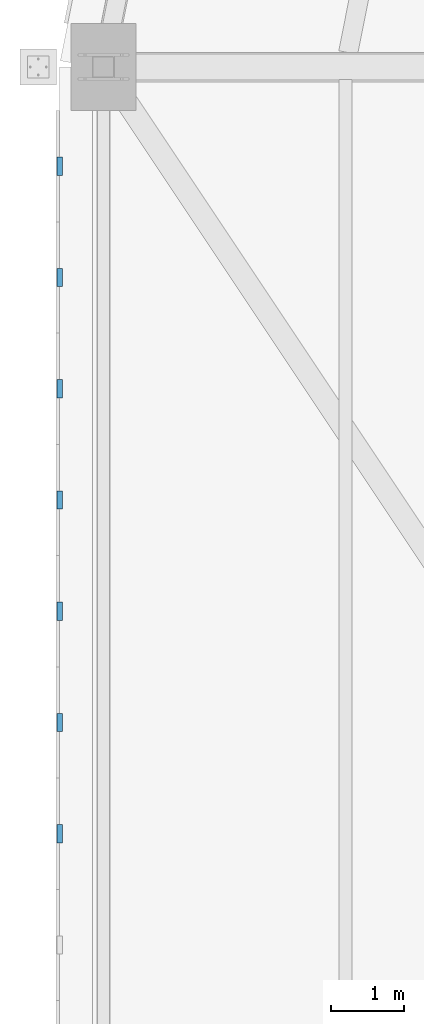
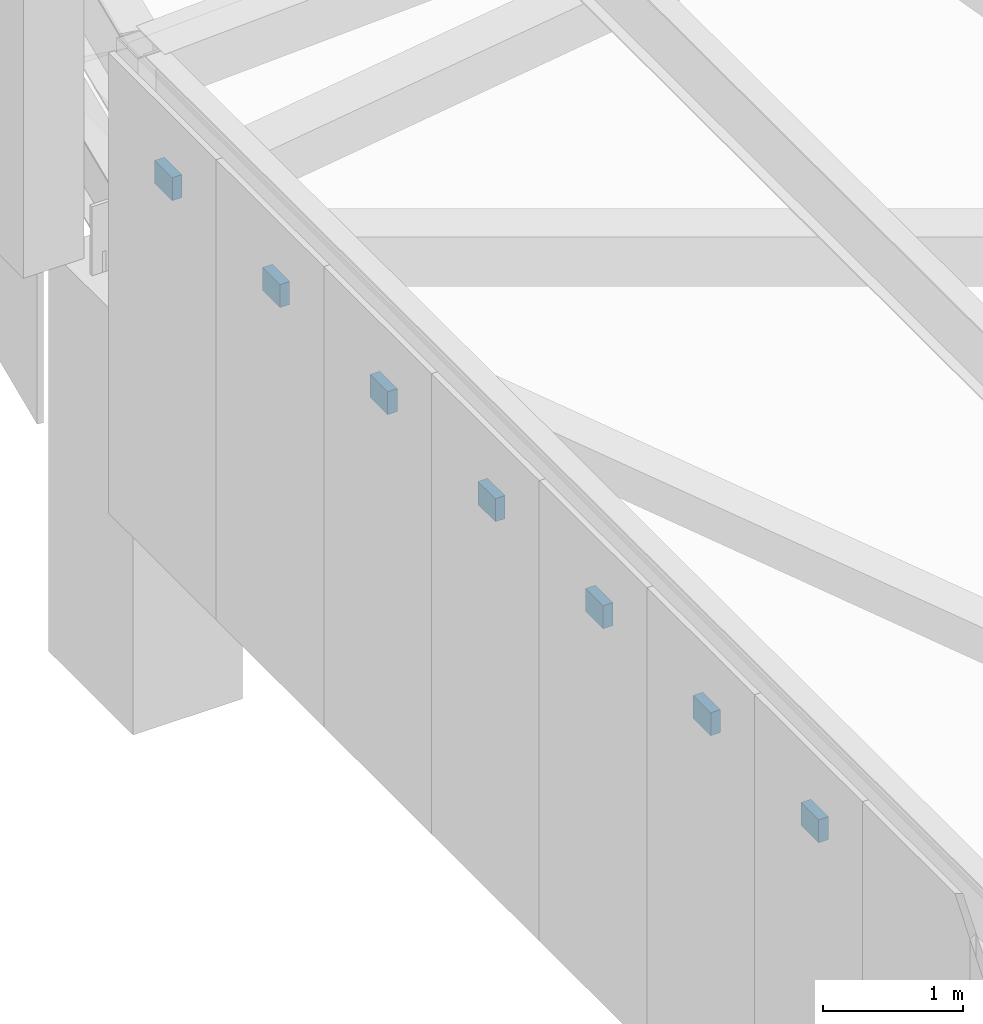
# One storey, part 211 of 278: 7 discrete accessories.
"""IFC4 building model written with IfcOpenShell, lengths in metres."""

from ifc_helpers import new_model, si_unit, direction, frame, origin, origin_2d, place, context, subcontext, project, spatial, rectangle, extrude, material, layer, layer_set, type_object, element, save


model = new_model("IFC4")

# Units and contexts
model_context = context("Model", 3, precision=1e-05, world=origin(), true_north=direction((0.0, 1.0)))
body_context = subcontext(model_context, "Body", "Model", "MODEL_VIEW")
ifc_project = project(units=[si_unit("LENGTHUNIT", "METRE"), si_unit("AREAUNIT", "SQUARE_METRE"), si_unit("VOLUMEUNIT", "CUBIC_METRE"), si_unit("PLANEANGLEUNIT", "RADIAN"), si_unit("MASSUNIT", "GRAM", prefix="KILO")], contexts=[model_context])

# Site, building, storey
site_placement = place(None, origin())
site = spatial("IfcSite", under=ifc_project, at=site_placement, CompositionType="ELEMENT")
building_placement = place(site_placement, origin())
building = spatial("IfcBuilding", under=site, at=building_placement, Name="Ogive Plaza Stadium", CompositionType="ELEMENT")
storey_placement = place(building_placement, frame((0.0, 0.0, 29.0)))
storey = spatial("IfcBuildingStorey", under=building, at=storey_placement, Name="Roof", CompositionType="ELEMENT", Elevation=29.0)

# Discrete accessories
ifc_material = material(Name="Steel ASTM A572 Grade 50", Category="steel")
ifc_layer = layer(ifc_material, 0.080078125)
ifc_layer_set = layer_set([ifc_layer], Name="Steel ASTM A572 Grade 50")
discrete_accessory_type = type_object("IfcDiscreteAccessoryType", Name="Tracery screen bracket 250x200", PredefinedType="BRACKET", material=ifc_layer_set)
for number, where, z_axis, x_axis, name in (
    (1, (-84.602294921875, 41.933349609375, 5.25), (0.0, 0.0, 1.0), (0.0, 1.0, 0.0), "TRACERY SCREEN BRACKET B27 3"),
    (2, (-84.602294921875, 43.466796875, 5.25), (0.0, 0.0, 1.0), (0.0, 1.0, 0.0), "TRACERY SCREEN BRACKET B27 4"),
    (3, (-84.602294921875, 45.0, 5.25), (0.0, 0.0, 1.0), (0.0, 1.0, 0.0), "TRACERY SCREEN BRACKET B27 5"),
    (4, (-84.602294921875, 46.533203125, 5.25), (0.0, 0.0, 1.0), (0.0, 1.0, 0.0), "TRACERY SCREEN BRACKET B27 6"),
    (5, (-84.602294921875, 48.066650390625, 5.25), (0.0, 0.0, 1.0), (0.0, 1.0, 0.0), "TRACERY SCREEN BRACKET B27 7"),
    (6, (-84.602294921875, 49.60009765625, 5.25), (0.0, 0.0, 1.0), (0.0, 1.0, 0.0), "TRACERY SCREEN BRACKET B27 8"),
    (7, (-84.602294921875, 51.13330078125, 5.25), (0.0, 0.0, 1.0), (0.0, 1.0, 0.0), "TRACERY SCREEN BRACKET B27 9"),
):
    element("IfcDiscreteAccessory", number, at=place(storey_placement, frame(where, z_axis=z_axis, x_axis=x_axis)), inside=storey, type_object=discrete_accessory_type, Name=name, PredefinedType="BRACKET", context=body_context, shape_type="SweptSolid", body=[
        extrude(rectangle(XDim=0.25, YDim=0.080078125, at=origin_2d()), origin(), (0.0, 0.0, 1.0), 0.199951171875),
    ])

save(model, "model.ifc")
